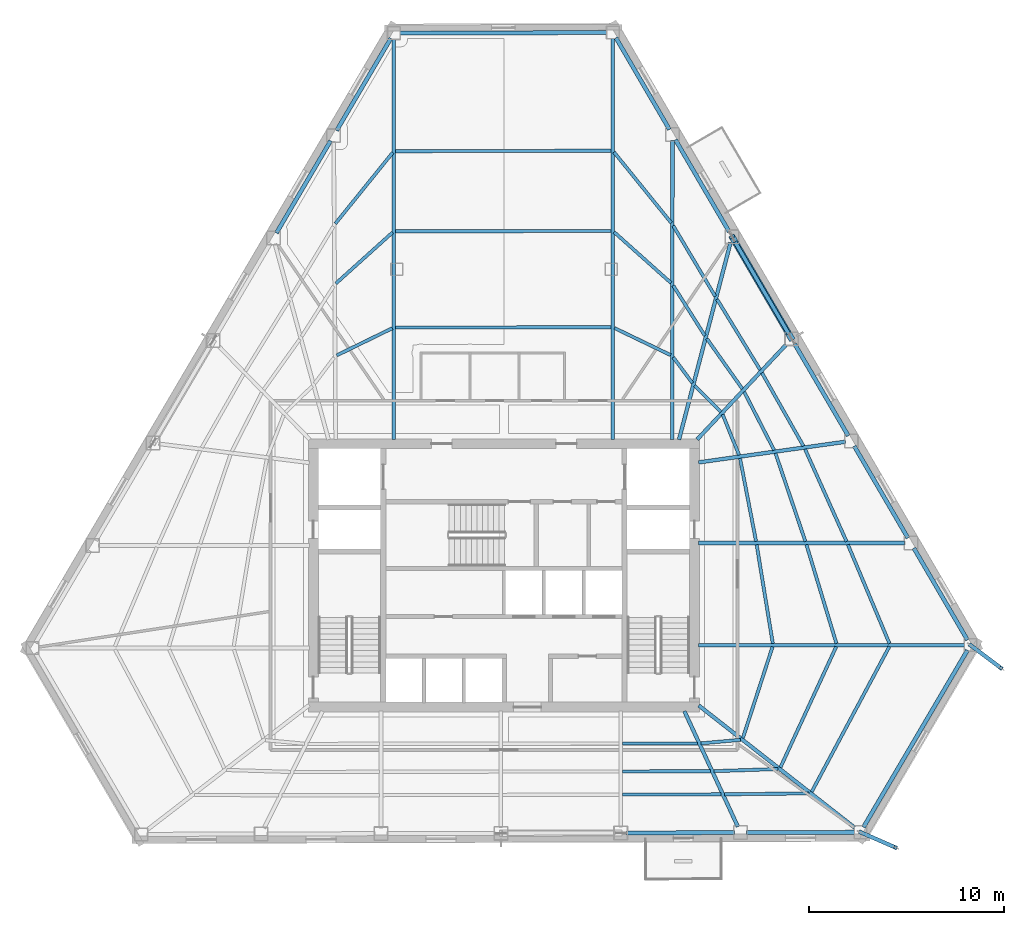
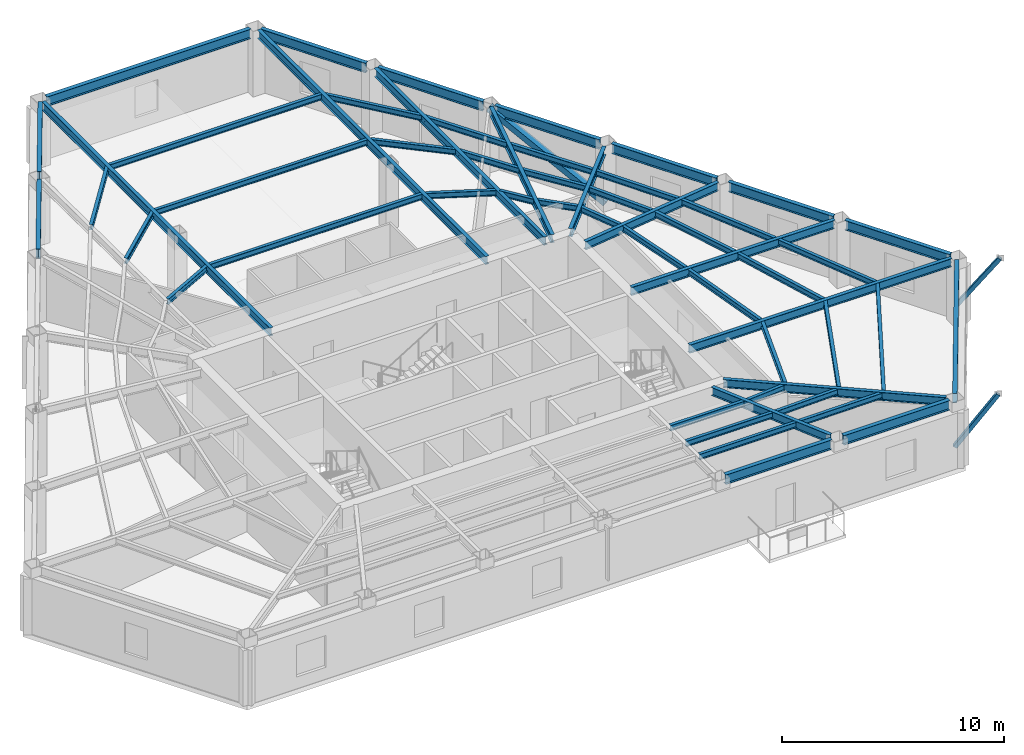
# One storey, part 2 of 10: 55 beams, 3 members.
"""IFC4 building model written with IfcOpenShell, lengths in metres."""

from ifc_helpers import new_model, si_unit, direction, frame, origin, origin_2d, place, context, subcontext, project, spatial, hollow_rectangle, i_section, extrude, material, material_profile, profile_set, type_object, element, save


model = new_model("IFC4")

# Units and contexts
model_context = context("Model", 3, precision=1e-05, world=origin(), true_north=direction((0.0, 1.0)))
body_context = subcontext(model_context, "Body", "Model", "MODEL_VIEW")
ifc_project = project(units=[si_unit("LENGTHUNIT", "METRE"), si_unit("AREAUNIT", "SQUARE_METRE"), si_unit("VOLUMEUNIT", "CUBIC_METRE"), si_unit("PLANEANGLEUNIT", "RADIAN"), si_unit("MASSUNIT", "GRAM", prefix="KILO")], contexts=[model_context])

# Site, building, storey
site_placement = place(None, origin())
site = spatial("IfcSite", under=ifc_project, at=site_placement, CompositionType="ELEMENT")
building_placement = place(site_placement, origin())
building = spatial("IfcBuilding", under=site, at=building_placement, Name="Kavelnor Concourse Tower", CompositionType="ELEMENT")
storey_placement = place(building_placement, frame((0.0, 0.0, 135.550048828125)))
storey = spatial("IfcBuildingStorey", under=building, at=storey_placement, Name="L34", CompositionType="ELEMENT", Elevation=135.550048828125)

# Beams
ifc_material = material(Name="Steel Grade 350", Category="steel")
ifc_material_profile_1 = material_profile(ifc_material, i_section(OverallWidth=0.166015625, OverallDepth=0.306884765625, WebThickness=0.006591796875, FlangeThickness=0.01171875, at=origin_2d()), Name="310UB46")
ifc_profile_set_1 = profile_set([ifc_material_profile_1], Name="Steel Grade 350")
beam_type_1 = type_object("IfcBeamType", Name="BM-JOIST-310", PredefinedType="JOIST", material=ifc_profile_set_1)
beam_1_placement = place(storey_placement, frame((44.077880859375, 7.474609375, 3.446533203125), z_axis=(0.999999606489, 0.000887142418, 0.0), x_axis=(-0.000887142418, 0.999999606489, 0.0)))
element("IfcBeam", 1, at=beam_1_placement, inside=storey, type_object=beam_type_1, Name="L34 Secondary Composite Joist 06-1", PredefinedType="JOIST", context=body_context, shape_type="SweptSolid", body=[
    extrude(i_section(OverallWidth=0.166015625, OverallDepth=0.306884765625, WebThickness=0.006591796875, FlangeThickness=0.01171875, at=origin_2d()), origin(), (0.0, 0.0, 1.0), 3.852783203125),
])
beam_2_placement = place(storey_placement, frame((44.077880859375, 6.04736328125, 3.446533203125), z_axis=(0.999997885182, 0.002056606572, 0.0), x_axis=(-0.002056606572, 0.999997885182, 0.0)))
element("IfcBeam", 2, at=beam_2_placement, inside=storey, type_object=beam_type_1, Name="L34 Secondary Composite Joist 06-2", PredefinedType="JOIST", context=body_context, shape_type="SweptSolid", body=[
    extrude(i_section(OverallWidth=0.166015625, OverallDepth=0.306884765625, WebThickness=0.006591796875, FlangeThickness=0.01171875, at=origin_2d()), origin(), (0.0, 0.0, 1.0), 4.510986328125),
])
beam_3_placement = place(storey_placement, frame((44.077880859375, 4.85791015625, 3.446533203125), z_axis=(0.999995947489, 0.002846929208, 0.0), x_axis=(-0.002846929208, 0.999995947489, 0.0)))
element("IfcBeam", 3, at=beam_3_placement, inside=storey, type_object=beam_type_1, Name="L34 Secondary Composite Joist 06-3", PredefinedType="JOIST", context=body_context, shape_type="SweptSolid", body=[
    extrude(i_section(OverallWidth=0.166015625, OverallDepth=0.306884765625, WebThickness=0.006591796875, FlangeThickness=0.01171875, at=origin_2d()), origin(), (0.0, 0.0, 1.0), 5.0595703125),
])
beam_4_placement = place(storey_placement, frame((48.1083984375, 7.486083984375, 3.446533203125), z_axis=(0.996009382745, 0.089248582532, 0.0), x_axis=(-0.089248582532, 0.996009382745, 0.0)))
element("IfcBeam", 4, at=beam_4_placement, inside=storey, type_object=beam_type_1, Name="L34 Secondary Composite Joist 07-1", PredefinedType="JOIST", context=body_context, shape_type="SweptSolid", body=[
    extrude(i_section(OverallWidth=0.166015625, OverallDepth=0.306884765625, WebThickness=0.006591796875, FlangeThickness=0.01171875, at=origin_2d()), origin(), (0.0, 0.0, 1.0), 2.03515625),
])
beam_5_placement = place(storey_placement, frame((48.766845703125, 6.059814453125, 3.446533203125), z_axis=(0.999426117652, 0.033873815196, 0.0), x_axis=(-0.033873815196, 0.999426117652, 0.0)))
element("IfcBeam", 5, at=beam_5_placement, inside=storey, type_object=beam_type_1, Name="L34 Secondary Composite Joist 07-2", PredefinedType="JOIST", context=body_context, shape_type="SweptSolid", body=[
    extrude(i_section(OverallWidth=0.166015625, OverallDepth=0.306884765625, WebThickness=0.006591796875, FlangeThickness=0.01171875, at=origin_2d()), origin(), (0.0, 0.0, 1.0), 3.28662109375),
])
beam_6_placement = place(storey_placement, frame((49.3154296875, 4.87353515625, 3.446533203125), z_axis=(0.999938395502, 0.011099783846, 0.0), x_axis=(-0.011099783846, 0.999938395502, 0.0)))
element("IfcBeam", 6, at=beam_6_placement, inside=storey, type_object=beam_type_1, Name="L34 Secondary Composite Joist 07-3", PredefinedType="JOIST", context=body_context, shape_type="SweptSolid", body=[
    extrude(i_section(OverallWidth=0.166015625, OverallDepth=0.306884765625, WebThickness=0.006591796875, FlangeThickness=0.01171875, at=origin_2d()), origin(), (0.0, 0.0, 1.0), 4.3330078125),
])
beam_7_placement = place(storey_placement, frame((50.251708984375, 7.76025390625, 3.446533203125), z_axis=(0.309013135152, 0.951057770224, 0.0), x_axis=(-0.951057770224, 0.309013135152, 0.0)))
element("IfcBeam", 7, at=beam_7_placement, inside=storey, type_object=beam_type_1, Name="L34 Secondary Composite Joist 08-1", PredefinedType="JOIST", context=body_context, shape_type="SweptSolid", body=[
    extrude(i_section(OverallWidth=0.166015625, OverallDepth=0.306884765625, WebThickness=0.006591796875, FlangeThickness=0.01171875, at=origin_2d()), origin(), (0.0, 0.0, 1.0), 4.919677734375),
])
beam_8_placement = place(storey_placement, frame((52.177734375, 6.2548828125, 3.446533203125), z_axis=(0.419305733682, 0.907845086841, 0.0), x_axis=(-0.907845086841, 0.419305733682, 0.0)))
element("IfcBeam", 8, at=beam_8_placement, inside=storey, type_object=beam_type_1, Name="L34 Secondary Composite Joist 08-2", PredefinedType="JOIST", context=body_context, shape_type="SweptSolid", body=[
    extrude(i_section(OverallWidth=0.166015625, OverallDepth=0.306884765625, WebThickness=0.006591796875, FlangeThickness=0.01171875, at=origin_2d()), origin(), (0.0, 0.0, 1.0), 6.81640625),
])
beam_9_placement = place(storey_placement, frame((53.779296875, 5.001220703125, 3.446533203125), z_axis=(0.471514178232, 0.881858480555, 0.0), x_axis=(-0.881858480555, 0.471514178232, 0.0)))
element("IfcBeam", 9, at=beam_9_placement, inside=storey, type_object=beam_type_1, Name="L34 Secondary Composite Joist 08-3", PredefinedType="JOIST", context=body_context, shape_type="SweptSolid", body=[
    extrude(i_section(OverallWidth=0.166015625, OverallDepth=0.306884765625, WebThickness=0.006591796875, FlangeThickness=0.01171875, at=origin_2d()), origin(), (0.0, 0.0, 1.0), 8.44140625),
])
beam_10_placement = place(storey_placement, frame((51.78515625, 12.611572265625, 3.446533203125), z_axis=(-0.161347735817, 0.986897617865, 0.0), x_axis=(-0.986897617865, -0.161347735817, 0.0)))
element("IfcBeam", 10, at=beam_10_placement, inside=storey, type_object=beam_type_1, Name="L34 Secondary Composite Joist 09-1", PredefinedType="JOIST", context=body_context, shape_type="SweptSolid", body=[
    extrude(i_section(OverallWidth=0.166015625, OverallDepth=0.306884765625, WebThickness=0.006591796875, FlangeThickness=0.01171875, at=origin_2d()), origin(), (0.0, 0.0, 1.0), 5.12646484375),
])
beam_11_placement = place(storey_placement, frame((55.04736328125, 12.60888671875, 3.446533203125), z_axis=(-0.290456715576, 0.95688813159, 0.0), x_axis=(-0.95688813159, -0.290456715576, 0.0)))
element("IfcBeam", 11, at=beam_11_placement, inside=storey, type_object=beam_type_1, Name="L34 Secondary Composite Joist 09-2", PredefinedType="JOIST", context=body_context, shape_type="SweptSolid", body=[
    extrude(i_section(OverallWidth=0.166015625, OverallDepth=0.306884765625, WebThickness=0.006591796875, FlangeThickness=0.01171875, at=origin_2d()), origin(), (0.0, 0.0, 1.0), 5.29296875),
])
beam_12_placement = place(storey_placement, frame((57.76708984375, 12.605712890625, 3.446533203125), z_axis=(-0.387503350112, 0.921868295176, 0.0), x_axis=(-0.921868295176, -0.387503350112, 0.0)))
element("IfcBeam", 12, at=beam_12_placement, inside=storey, type_object=beam_type_1, Name="L34 Secondary Composite Joist 09-3", PredefinedType="JOIST", context=body_context, shape_type="SweptSolid", body=[
    extrude(i_section(OverallWidth=0.166015625, OverallDepth=0.306884765625, WebThickness=0.006591796875, FlangeThickness=0.01171875, at=origin_2d()), origin(), (0.0, 0.0, 1.0), 5.500732421875),
])
beam_13_placement = place(storey_placement, frame((50.927001953125, 17.84619140625, 3.446533203125), z_axis=(-0.189697812303, 0.981842523019, 0.0), x_axis=(-0.981842523019, -0.189697812303, 0.0)))
element("IfcBeam", 13, at=beam_13_placement, inside=storey, type_object=beam_type_1, Name="L34 Secondary Composite Joist 10-1", PredefinedType="JOIST", context=body_context, shape_type="SweptSolid", body=[
    extrude(i_section(OverallWidth=0.166015625, OverallDepth=0.306884765625, WebThickness=0.006591796875, FlangeThickness=0.01171875, at=origin_2d()), origin(), (0.0, 0.0, 1.0), 4.333251953125),
])
beam_14_placement = place(storey_placement, frame((53.45556640625, 17.843017578125, 3.446533203125), z_axis=(-0.321292245077, 0.946980091266, 0.0), x_axis=(-0.946980091266, -0.321292245077, 0.0)))
element("IfcBeam", 14, at=beam_14_placement, inside=storey, type_object=beam_type_1, Name="L34 Secondary Composite Joist 10-2", PredefinedType="JOIST", context=body_context, shape_type="SweptSolid", body=[
    extrude(i_section(OverallWidth=0.166015625, OverallDepth=0.306884765625, WebThickness=0.006591796875, FlangeThickness=0.01171875, at=origin_2d()), origin(), (0.0, 0.0, 1.0), 4.768310546875),
])
beam_15_placement = place(storey_placement, frame((55.564697265625, 17.840087890625, 3.446533203125), z_axis=(-0.409989072402, 0.912090434393, 0.0), x_axis=(-0.912090434393, -0.409989072402, 0.0)))
element("IfcBeam", 15, at=beam_15_placement, inside=storey, type_object=beam_type_1, Name="L34 Secondary Composite Joist 10-3", PredefinedType="JOIST", context=body_context, shape_type="SweptSolid", body=[
    extrude(i_section(OverallWidth=0.166015625, OverallDepth=0.306884765625, WebThickness=0.006591796875, FlangeThickness=0.01171875, at=origin_2d()), origin(), (0.0, 0.0, 1.0), 5.189697265625),
])
beam_16_placement = place(storey_placement, frame((50.054931640625, 22.270751953125, 3.446533203125), z_axis=(-0.374849028171, 0.927085867695, 0.0), x_axis=(-0.927085867695, -0.374849028171, 0.0)))
element("IfcBeam", 16, at=beam_16_placement, inside=storey, type_object=beam_type_1, Name="L34 Secondary Composite Joist 11-1", PredefinedType="JOIST", context=body_context, shape_type="SweptSolid", body=[
    extrude(i_section(OverallWidth=0.166015625, OverallDepth=0.306884765625, WebThickness=0.006591796875, FlangeThickness=0.01171875, at=origin_2d()), origin(), (0.0, 0.0, 1.0), 2.23779296875),
])
beam_17_placement = place(storey_placement, frame((51.854248046875, 22.521728515625, 3.446533203125), z_axis=(-0.457377539647, 0.889272616371, 0.0), x_axis=(-0.889272616371, -0.457377539647, 0.0)))
element("IfcBeam", 17, at=beam_17_placement, inside=storey, type_object=beam_type_1, Name="L34 Secondary Composite Joist 11-2", PredefinedType="JOIST", context=body_context, shape_type="SweptSolid", body=[
    extrude(i_section(OverallWidth=0.166015625, OverallDepth=0.306884765625, WebThickness=0.006591796875, FlangeThickness=0.01171875, at=origin_2d()), origin(), (0.0, 0.0, 1.0), 3.36279296875),
])
beam_18_placement = place(storey_placement, frame((53.356689453125, 22.73193359375, 3.446533203125), z_axis=(-0.493166836904, 0.869934750989, 0.0), x_axis=(-0.869934750989, -0.493166836904, 0.0)))
element("IfcBeam", 18, at=beam_18_placement, inside=storey, type_object=beam_type_1, Name="L34 Secondary Composite Joist 11-3", PredefinedType="JOIST", context=body_context, shape_type="SweptSolid", body=[
    extrude(i_section(OverallWidth=0.166015625, OverallDepth=0.306884765625, WebThickness=0.006591796875, FlangeThickness=0.01171875, at=origin_2d()), origin(), (0.0, 0.0, 1.0), 4.312255859375),
])
beam_19_placement = place(storey_placement, frame((49.11962890625, 24.49072265625, 3.446533203125), z_axis=(-0.708330982617, 0.705880456639, 0.0), x_axis=(-0.705880456639, -0.708330982617, 0.0)))
element("IfcBeam", 19, at=beam_19_placement, inside=storey, type_object=beam_type_1, Name="L34 Secondary Composite Joist 12-1", PredefinedType="JOIST", context=body_context, shape_type="SweptSolid", body=[
    extrude(i_section(OverallWidth=0.166015625, OverallDepth=0.306884765625, WebThickness=0.006591796875, FlangeThickness=0.01171875, at=origin_2d()), origin(), (0.0, 0.0, 1.0), 1.892822265625),
])
beam_20_placement = place(storey_placement, frame((50.22412109375, 25.6640625, 3.446533203125), z_axis=(-0.577442087947, 0.816431647517, 0.0), x_axis=(-0.816431647517, -0.577442087947, 0.0)))
element("IfcBeam", 20, at=beam_20_placement, inside=storey, type_object=beam_type_1, Name="L34 Secondary Composite Joist 12-2", PredefinedType="JOIST", context=body_context, shape_type="SweptSolid", body=[
    extrude(i_section(OverallWidth=0.166015625, OverallDepth=0.306884765625, WebThickness=0.006591796875, FlangeThickness=0.01171875, at=origin_2d()), origin(), (0.0, 0.0, 1.0), 3.156494140625),
])
beam_21_placement = place(storey_placement, frame((51.1396484375, 26.63671875, 3.446533203125), z_axis=(-0.521733784436, 0.853108350785, 0.0), x_axis=(-0.853108350785, -0.521733784436, 0.0)))
element("IfcBeam", 21, at=beam_21_placement, inside=storey, type_object=beam_type_1, Name="L34 Secondary Composite Joist 12-3", PredefinedType="JOIST", context=body_context, shape_type="SweptSolid", body=[
    extrude(i_section(OverallWidth=0.166015625, OverallDepth=0.306884765625, WebThickness=0.006591796875, FlangeThickness=0.01171875, at=origin_2d()), origin(), (0.0, 0.0, 1.0), 4.2451171875),
])
beam_22_placement = place(storey_placement, frame((47.662841796875, 25.9609375, 3.446533203125), z_axis=(-0.596414026464, 0.802676964312, 0.0), x_axis=(-0.802676964312, -0.596414026464, 0.0)))
element("IfcBeam", 22, at=beam_22_placement, inside=storey, type_object=beam_type_1, Name="L34 Secondary Composite Joist 13-1", PredefinedType="JOIST", context=body_context, shape_type="SweptSolid", body=[
    extrude(i_section(OverallWidth=0.166015625, OverallDepth=0.306884765625, WebThickness=0.006591796875, FlangeThickness=0.01171875, at=origin_2d()), origin(), (0.0, 0.0, 1.0), 1.647705078125),
])
beam_23_placement = place(storey_placement, frame((48.302490234375, 28.38916015625, 3.446533203125), z_axis=(-0.533854046208, 0.845576641912, 0.0), x_axis=(-0.845576641912, -0.533854046208, 0.0)))
element("IfcBeam", 23, at=beam_23_placement, inside=storey, type_object=beam_type_1, Name="L34 Secondary Composite Joist 13-2", PredefinedType="JOIST", context=body_context, shape_type="SweptSolid", body=[
    extrude(i_section(OverallWidth=0.166015625, OverallDepth=0.306884765625, WebThickness=0.006591796875, FlangeThickness=0.01171875, at=origin_2d()), origin(), (0.0, 0.0, 1.0), 3.041259765625),
])
beam_24_placement = place(storey_placement, frame((48.832763671875, 30.41064453125, 3.446533203125), z_axis=(-0.511361471868, 0.859365722547, 0.0), x_axis=(-0.859365722547, -0.511361471868, 0.0)))
element("IfcBeam", 24, at=beam_24_placement, inside=storey, type_object=beam_type_1, Name="L34 Secondary Composite Joist 13-3", PredefinedType="JOIST", context=body_context, shape_type="SweptSolid", body=[
    extrude(i_section(OverallWidth=0.166015625, OverallDepth=0.306884765625, WebThickness=0.006591796875, FlangeThickness=0.01171875, at=origin_2d()), origin(), (0.0, 0.0, 1.0), 4.20849609375),
])
beam_25_placement = place(storey_placement, frame((46.546875, 27.393310546875, 3.446533203125), z_axis=(-0.900864625314, 0.434100134597, 0.0), x_axis=(-0.434100134597, -0.900864625314, 0.0)))
element("IfcBeam", 25, at=beam_25_placement, inside=storey, type_object=beam_type_1, Name="L34 Secondary Composite Joist 14-1", PredefinedType="JOIST", context=body_context, shape_type="SweptSolid", body=[
    extrude(i_section(OverallWidth=0.166015625, OverallDepth=0.306884765625, WebThickness=0.006591796875, FlangeThickness=0.01171875, at=origin_2d()), origin(), (0.0, 0.0, 1.0), 3.198974609375),
])
beam_26_placement = place(storey_placement, frame((46.565185546875, 31.095458984375, 3.446533203125), z_axis=(-0.745697050011, 0.666285156374, 0.0), x_axis=(-0.666285156374, -0.745697050011, 0.0)))
element("IfcBeam", 26, at=beam_26_placement, inside=storey, type_object=beam_type_1, Name="L34 Secondary Composite Joist 14-2", PredefinedType="JOIST", context=body_context, shape_type="SweptSolid", body=[
    extrude(i_section(OverallWidth=0.166015625, OverallDepth=0.306884765625, WebThickness=0.006591796875, FlangeThickness=0.01171875, at=origin_2d()), origin(), (0.0, 0.0, 1.0), 3.907470703125),
])
beam_27_placement = place(storey_placement, frame((46.5791015625, 34.173095703125, 3.446533203125), z_axis=(-0.629089955692, 0.777332507777, 0.0), x_axis=(-0.777332507777, -0.629089955692, 0.0)))
element("IfcBeam", 27, at=beam_27_placement, inside=storey, type_object=beam_type_1, Name="L34 Secondary Composite Joist 14-3", PredefinedType="JOIST", context=body_context, shape_type="SweptSolid", body=[
    extrude(i_section(OverallWidth=0.166015625, OverallDepth=0.306884765625, WebThickness=0.006591796875, FlangeThickness=0.01171875, at=origin_2d()), origin(), (0.0, 0.0, 1.0), 4.670654296875),
])
for number, where, z_axis, x_axis, name in (
    (28, (43.495849609375, 28.820556640625, 3.446533203125), (-0.999999647713, -0.000839389159, 0.0), (0.000839389159, -0.999999647713, 0.0), "L34 Secondary Composite Joist 15-1"),
    (29, (43.495849609375, 33.758056640625, 3.446533203125), (-0.999998804567, -0.001546241884, 0.0), (0.001546241884, -0.999998804567, 0.0), "L34 Secondary Composite Joist 15-2"),
    (30, (43.495849609375, 37.872802734375, 3.446533203125), (-0.999997704529, -0.00214264711, 0.0), (0.00214264711, -0.999997704529, 0.0), "L34 Secondary Composite Joist 15-3"),
):
    element("IfcBeam", number, at=place(storey_placement, frame(where, z_axis=z_axis, x_axis=x_axis)), inside=storey, type_object=beam_type_1, Name=name, PredefinedType="JOIST", context=body_context, shape_type="SweptSolid", body=[
        extrude(i_section(OverallWidth=0.166015625, OverallDepth=0.306884765625, WebThickness=0.006591796875, FlangeThickness=0.01171875, at=origin_2d()), origin(), (0.0, 0.0, 1.0), 11.052490234375),
    ])
beam_28_placement = place(storey_placement, frame((32.2744140625, 28.772216796875, 3.446533203125), z_axis=(-0.898556936197, -0.438856961221, 0.0), x_axis=(0.438856961221, -0.898556936197, 0.0)))
element("IfcBeam", 31, at=beam_28_placement, inside=storey, type_object=beam_type_1, Name="L34 Secondary Composite Joist 16-1", PredefinedType="JOIST", context=body_context, shape_type="SweptSolid", body=[
    extrude(i_section(OverallWidth=0.166015625, OverallDepth=0.306884765625, WebThickness=0.006591796875, FlangeThickness=0.01171875, at=origin_2d()), origin(), (0.0, 0.0, 1.0), 3.17431640625),
])
beam_29_placement = place(storey_placement, frame((32.2880859375, 33.681396484375, 3.446533203125), z_axis=(-0.743368714094, -0.668881869171, 0.0), x_axis=(0.668881869171, -0.743368714094, 0.0)))
element("IfcBeam", 32, at=beam_29_placement, inside=storey, type_object=beam_type_1, Name="L34 Secondary Composite Joist 16-2", PredefinedType="JOIST", context=body_context, shape_type="SweptSolid", body=[
    extrude(i_section(OverallWidth=0.166015625, OverallDepth=0.306884765625, WebThickness=0.006591796875, FlangeThickness=0.01171875, at=origin_2d()), origin(), (0.0, 0.0, 1.0), 3.906982421875),
])
beam_30_placement = place(storey_placement, frame((32.298583984375, 37.77978515625, 3.446533203125), z_axis=(-0.628588085721, -0.777738399778, 0.0), x_axis=(0.777738399778, -0.628588085721, 0.0)))
element("IfcBeam", 33, at=beam_30_placement, inside=storey, type_object=beam_type_1, Name="L34 Secondary Composite Joist 16-3", PredefinedType="JOIST", context=body_context, shape_type="SweptSolid", body=[
    extrude(i_section(OverallWidth=0.166015625, OverallDepth=0.306884765625, WebThickness=0.006591796875, FlangeThickness=0.01171875, at=origin_2d()), origin(), (0.0, 0.0, 1.0), 4.686279296875),
])
ifc_material_profile_2 = material_profile(ifc_material, i_section(OverallWidth=0.18994140625, OverallDepth=0.4541015625, WebThickness=0.008544921875, FlangeThickness=0.0126953125, at=origin_2d()), Name="460UB67")
ifc_profile_set_2 = profile_set([ifc_material_profile_2], Name="Steel Grade 350")
beam_type_2 = type_object("IfcBeamType", Name="BM-PRIMARY-460", PredefinedType="BEAM", material=ifc_profile_set_2)
beam_31_placement = place(storey_placement, frame((32.3544921875, 23.06005859375, 3.373046875), z_axis=(0.0, 1.0, 0.0), x_axis=(-1.0, 0.0, 0.0)))
element("IfcBeam", 34, at=beam_31_placement, inside=storey, type_object=beam_type_2, Name="L34 Primary Floor Girder F0-B0", PredefinedType="BEAM", context=body_context, shape_type="SweptSolid", body=[
    extrude(i_section(OverallWidth=0.18994140625, OverallDepth=0.4541015625, WebThickness=0.008544921875, FlangeThickness=0.0126953125, at=origin_2d()), origin(), (0.0, 0.0, 1.0), 20.5400390625),
])
beam_32_placement = place(storey_placement, frame((47.251708984375, 9.13623046875, 3.373046875), z_axis=(0.420258199615, -0.907404565592, 0.0), x_axis=(0.907404565592, 0.420258199615, 0.0)))
element("IfcBeam", 35, at=beam_32_placement, inside=storey, type_object=beam_type_2, Name="L34 Primary Floor Girder F1-B5", PredefinedType="BEAM", context=body_context, shape_type="SweptSolid", body=[
    extrude(i_section(OverallWidth=0.18994140625, OverallDepth=0.4541015625, WebThickness=0.008544921875, FlangeThickness=0.0126953125, at=origin_2d()), origin(), (0.0, 0.0, 1.0), 6.526123046875),
])
beam_33_placement = place(storey_placement, frame((47.988525390625, 9.427490234375, 3.373046875), z_axis=(0.787124444594, -0.616794219105, 0.0), x_axis=(0.616794219105, 0.787124444594, 0.0)))
element("IfcBeam", 36, at=beam_33_placement, inside=storey, type_object=beam_type_2, Name="L34 Primary Floor Girder F1-B6", PredefinedType="BEAM", context=body_context, shape_type="SweptSolid", body=[
    extrude(i_section(OverallWidth=0.18994140625, OverallDepth=0.4541015625, WebThickness=0.008544921875, FlangeThickness=0.0126953125, at=origin_2d()), origin(), (0.0, 0.0, 1.0), 10.143798828125),
])
beam_34_placement = place(storey_placement, frame((47.97998046875, 12.523681640625, 3.373046875), z_axis=(1.0, 0.0, 0.0), x_axis=(0.0, 1.0, 0.0)))
element("IfcBeam", 37, at=beam_34_placement, inside=storey, type_object=beam_type_2, Name="L34 Primary Floor Girder F2-B0", PredefinedType="BEAM", context=body_context, shape_type="SweptSolid", body=[
    extrude(i_section(OverallWidth=0.18994140625, OverallDepth=0.4541015625, WebThickness=0.008544921875, FlangeThickness=0.0126953125, at=origin_2d()), origin(), (0.0, 0.0, 1.0), 13.640869140625),
])
beam_35_placement = place(storey_placement, frame((47.97998046875, 17.7587890625, 3.373046875), z_axis=(1.0, 0.0, 0.0), x_axis=(0.0, 1.0, 0.0)))
element("IfcBeam", 38, at=beam_35_placement, inside=storey, type_object=beam_type_2, Name="L34 Primary Floor Girder F2-B1", PredefinedType="BEAM", context=body_context, shape_type="SweptSolid", body=[
    extrude(i_section(OverallWidth=0.18994140625, OverallDepth=0.4541015625, WebThickness=0.008544921875, FlangeThickness=0.0126953125, at=origin_2d()), origin(), (0.0, 0.0, 1.0), 10.5849609375),
])
beam_36_placement = place(storey_placement, frame((47.98046875, 21.8916015625, 3.373046875), z_axis=(0.990235186023, 0.13940687344, 0.0), x_axis=(-0.13940687344, 0.990235186023, 0.0)))
element("IfcBeam", 39, at=beam_36_placement, inside=storey, type_object=beam_type_2, Name="L34 Primary Floor Girder F2-B2", PredefinedType="BEAM", context=body_context, shape_type="SweptSolid", body=[
    extrude(i_section(OverallWidth=0.18994140625, OverallDepth=0.4541015625, WebThickness=0.008544921875, FlangeThickness=0.0126953125, at=origin_2d()), origin(), (0.0, 0.0, 1.0), 7.602294921875),
])
beam_37_placement = place(storey_placement, frame((47.90771484375, 23.07080078125, 3.373046875), z_axis=(0.68466127853, 0.728861395385, 0.0), x_axis=(-0.728861395385, 0.68466127853, 0.0)))
element("IfcBeam", 40, at=beam_37_placement, inside=storey, type_object=beam_type_2, Name="L34 Primary Floor Girder F2-B3", PredefinedType="BEAM", context=body_context, shape_type="SweptSolid", body=[
    extrude(i_section(OverallWidth=0.18994140625, OverallDepth=0.4541015625, WebThickness=0.008544921875, FlangeThickness=0.0126953125, at=origin_2d()), origin(), (0.0, 0.0, 1.0), 6.650390625),
])
beam_38_placement = place(storey_placement, frame((46.97607421875, 23.061279296875, 3.373046875), z_axis=(0.253051987323, 0.967452681898, 0.0), x_axis=(-0.967452681898, 0.253051987323, 0.0)))
element("IfcBeam", 41, at=beam_38_placement, inside=storey, type_object=beam_type_2, Name="L34 Primary Floor Girder F2-B4", PredefinedType="BEAM", context=body_context, shape_type="SweptSolid", body=[
    extrude(i_section(OverallWidth=0.18994140625, OverallDepth=0.4541015625, WebThickness=0.008544921875, FlangeThickness=0.0126953125, at=origin_2d()), origin(), (0.0, 0.0, 1.0), 10.44091796875),
])
beam_39_placement = place(storey_placement, frame((46.62158203125, 23.06005859375, 3.373046875), z_axis=(0.001225586805, 0.999999248968, 0.0), x_axis=(-0.999999248968, 0.001225586805, 0.0)))
element("IfcBeam", 42, at=beam_39_placement, inside=storey, type_object=beam_type_2, Name="L34 Primary Floor Girder F2-B5", PredefinedType="BEAM", context=body_context, shape_type="SweptSolid", body=[
    extrude(i_section(OverallWidth=0.18994140625, OverallDepth=0.4541015625, WebThickness=0.008544921875, FlangeThickness=0.0126953125, at=origin_2d()), origin(), (0.0, 0.0, 1.0), 15.338623046875),
])
beam_40_placement = place(storey_placement, frame((43.5849609375, 23.06005859375, 3.373046875), z_axis=(0.0, 1.0, 0.0), x_axis=(-1.0, 0.0, 0.0)))
element("IfcBeam", 43, at=beam_40_placement, inside=storey, type_object=beam_type_2, Name="L34 Primary Floor Girder F2-B6", PredefinedType="BEAM", context=body_context, shape_type="SweptSolid", body=[
    extrude(i_section(OverallWidth=0.18994140625, OverallDepth=0.4541015625, WebThickness=0.008544921875, FlangeThickness=0.0126953125, at=origin_2d()), origin(), (0.0, 0.0, 1.0), 20.573486328125),
])
ifc_material_profile_3 = material_profile(ifc_material, i_section(OverallWidth=0.208984375, OverallDepth=0.532958984375, WebThickness=0.01025390625, FlangeThickness=0.015625, at=origin_2d()), Name="530UB92")
ifc_profile_set_3 = profile_set([ifc_material_profile_3], Name="Steel Grade 350")
beam_type_3 = type_object("IfcBeamType", Name="BM-SPANDREL-Z2", PredefinedType="SPANDREL", material=ifc_profile_set_3)
for number, where, z_axis, x_axis, name in (
    (44, (32.19970703125, 43.63720703125, 3.33349609375), (-0.506677693312, -0.862135554945, 0.0), (0.862135554945, -0.506677693312, 0.0), "L34 Perimeter Tube Spandrel Beam F0-B0"),
    (45, (29.111572265625, 38.383056640625, 3.33349609375), (-0.50671077972, -0.862116109184, 0.0), (0.862116109184, -0.50671077972, 0.0), "L34 Perimeter Tube Spandrel Beam F0-B1"),
):
    element("IfcBeam", number, at=place(storey_placement, frame(where, z_axis=z_axis, x_axis=x_axis)), inside=storey, type_object=beam_type_3, Name=name, PredefinedType="SPANDREL", context=body_context, shape_type="SweptSolid", body=[
        extrude(i_section(OverallWidth=0.208984375, OverallDepth=0.532958984375, WebThickness=0.01025390625, FlangeThickness=0.015625, at=origin_2d()), origin(), (0.0, 0.0, 1.0), 5.484375),
    ])
beam_41_placement = place(storey_placement, frame((43.27978515625, 43.9326171875, 3.33349609375), z_axis=(-0.999995534652, -0.002988423703, 0.0), x_axis=(0.002988423703, -0.999995534652, 0.0)))
element("IfcBeam", 46, at=beam_41_placement, inside=storey, type_object=beam_type_3, Name="L34 Chamfer Facet Spandrel Beam C0", PredefinedType="SPANDREL", context=body_context, shape_type="SweptSolid", body=[
    extrude(i_section(OverallWidth=0.208984375, OverallDepth=0.532958984375, WebThickness=0.01025390625, FlangeThickness=0.015625, at=origin_2d()), origin(), (0.0, 0.0, 1.0), 10.620361328125),
])
for number, where, z_axis, x_axis, name in (
    (47, (44.2939453125, 2.893310546875, 3.33349609375), (0.999995503734, 0.002998751731, 0.0), (-0.002998751731, 0.999995503734, 0.0), "L34 Perimeter Tube Spandrel Beam F1-B4"),
    (48, (50.440185546875, 2.91162109375, 3.33349609375), (0.999995635004, 0.002954652829, 0.0), (-0.002954652829, 0.999995635004, 0.0), "L34 Perimeter Tube Spandrel Beam F1-B5"),
):
    element("IfcBeam", number, at=place(storey_placement, frame(where, z_axis=z_axis, x_axis=x_axis)), inside=storey, type_object=beam_type_3, Name=name, PredefinedType="SPANDREL", context=body_context, shape_type="SweptSolid", body=[
        extrude(i_section(OverallWidth=0.208984375, OverallDepth=0.532958984375, WebThickness=0.01025390625, FlangeThickness=0.015625, at=origin_2d()), origin(), (0.0, 0.0, 1.0), 5.5361328125),
    ])
for number, where, z_axis, x_axis, name in (
    (49, (61.76708984375, 12.787109375, 3.33349609375), (-0.504118817846, 0.863634307733, 0.0), (-0.863634307733, -0.504118817846, 0.0), "L34 Perimeter Tube Spandrel Beam F2-B0"),
    (50, (58.711181640625, 18.022216796875, 3.33349609375), (-0.504171716798, 0.863603427495, 0.0), (-0.863603427495, -0.504171716798, 0.0), "L34 Perimeter Tube Spandrel Beam F2-B1"),
    (51, (55.655029296875, 23.257080078125, 3.33349609375), (-0.504118817846, 0.863634307733, 0.0), (-0.863634307733, -0.504118817846, 0.0), "L34 Perimeter Tube Spandrel Beam F2-B2"),
    (52, (52.59912109375, 28.4921875, 3.33349609375), (-0.504171716798, 0.863603427495, 0.0), (-0.863603427495, -0.504171716798, 0.0), "L34 Perimeter Tube Spandrel Beam F2-B3"),
):
    element("IfcBeam", number, at=place(storey_placement, frame(where, z_axis=z_axis, x_axis=x_axis)), inside=storey, type_object=beam_type_3, Name=name, PredefinedType="SPANDREL", context=body_context, shape_type="SweptSolid", body=[
        extrude(i_section(OverallWidth=0.208984375, OverallDepth=0.532958984375, WebThickness=0.01025390625, FlangeThickness=0.015625, at=origin_2d()), origin(), (0.0, 0.0, 1.0), 5.45166015625),
    ])
beam_42_placement = place(storey_placement, frame((49.543212890625, 33.72705078125, 3.33349609375), z_axis=(-0.504152218526, 0.863614810292, 0.0), x_axis=(-0.863614810292, -0.504152218526, 0.0)))
element("IfcBeam", 53, at=beam_42_placement, inside=storey, type_object=beam_type_3, Name="L34 Perimeter Tube Spandrel Beam F2-B4", PredefinedType="SPANDREL", context=body_context, shape_type="SweptSolid", body=[
    extrude(i_section(OverallWidth=0.208984375, OverallDepth=0.532958984375, WebThickness=0.01025390625, FlangeThickness=0.015625, at=origin_2d()), origin(), (0.0, 0.0, 1.0), 5.451904296875),
])
beam_43_placement = place(storey_placement, frame((46.487060546875, 38.9619140625, 3.33349609375), z_axis=(-0.504118817846, 0.863634307733, 0.0), x_axis=(-0.863634307733, -0.504118817846, 0.0)))
element("IfcBeam", 54, at=beam_43_placement, inside=storey, type_object=beam_type_3, Name="L34 Perimeter Tube Spandrel Beam F2-B5", PredefinedType="SPANDREL", context=body_context, shape_type="SweptSolid", body=[
    extrude(i_section(OverallWidth=0.208984375, OverallDepth=0.532958984375, WebThickness=0.01025390625, FlangeThickness=0.015625, at=origin_2d()), origin(), (0.0, 0.0, 1.0), 5.45166015625),
])
beam_44_placement = place(storey_placement, frame((56.435791015625, 3.19189453125, 3.33349609375), z_axis=(0.506723940803, 0.862108373592, 0.0), x_axis=(-0.862108373592, 0.506723940803, 0.0)))
element("IfcBeam", 55, at=beam_44_placement, inside=storey, type_object=beam_type_3, Name="L34 Chamfer Facet Spandrel Beam C2", PredefinedType="SPANDREL", context=body_context, shape_type="SweptSolid", body=[
    extrude(i_section(OverallWidth=0.208984375, OverallDepth=0.532958984375, WebThickness=0.01025390625, FlangeThickness=0.015625, at=origin_2d()), origin(), (0.0, 0.0, 1.0), 10.519775390625),
])

# Members
ifc_material_profile_4 = material_profile(ifc_material, hollow_rectangle(XDim=0.199951171875, YDim=0.199951171875, WallThickness=0.011962890625, at=origin_2d()), Name="SHS 200x200x12")
ifc_profile_set_4 = profile_set([ifc_material_profile_4], Name="Steel Grade 350")
member_type_1 = type_object("IfcMemberType", Name="MBR-TERR-STRUT-200", PredefinedType="STRUT", material=ifc_profile_set_4)
member_1_placement = place(storey_placement, frame((56.281494140625, 2.928955078125, 0.89990234375), z_axis=(0.534389699012, -0.233219876784, 0.812426081969), x_axis=(0.399990047029, 0.91651948276, 0.0)))
element("IfcMember", 56, at=member_1_placement, inside=storey, type_object=member_type_1, Name="L34 Spiral Terrace Raking Knee Strut C2-A", PredefinedType="STRUT", context=body_context, shape_type="SweptSolid", body=[
    extrude(hollow_rectangle(XDim=0.199951171875, YDim=0.199951171875, WallThickness=0.011962890625, at=origin_2d()), origin(), (0.0, 0.0, 1.0), 3.36669921875),
])
member_2_placement = place(storey_placement, frame((61.9208984375, 12.523681640625, 0.89990234375), z_axis=(0.465144420733, -0.350654029856, 0.812823731941), x_axis=(0.601971116106, 0.79851786165, 0.0)))
element("IfcMember", 57, at=member_2_placement, inside=storey, type_object=member_type_1, Name="L34 Spiral Terrace Raking Knee Strut C2-B", PredefinedType="STRUT", context=body_context, shape_type="SweptSolid", body=[
    extrude(hollow_rectangle(XDim=0.199951171875, YDim=0.199951171875, WallThickness=0.011962890625, at=origin_2d()), origin(), (0.0, 0.0, 1.0), 3.364990234375),
])
ifc_material_profile_5 = material_profile(ifc_material, hollow_rectangle(XDim=0.320068359375, YDim=0.320068359375, WallThickness=0.01806640625, at=origin_2d()), Name="SHS 320x320x18")
ifc_profile_set_5 = profile_set([ifc_material_profile_5], Name="Steel Grade 350")
member_type_2 = type_object("IfcMemberType", Name="MBR-TUBE-DIAG-Z2", PredefinedType="BRACE", material=ifc_profile_set_5)
member_3_placement = place(storey_placement, frame((52.7529296875, 28.228759765625, 0.219970703125), z_axis=(-0.448446863649, 0.768203055874, 0.456902041393), x_axis=(-0.863618166587, -0.504146469134, 0.0)))
element("IfcMember", 58, at=member_3_placement, inside=storey, type_object=member_type_2, Name="L34 Framed-Tube Bracing Diagonal F2-B3", PredefinedType="BRACE", context=body_context, shape_type="SweptSolid", body=[
    extrude(hollow_rectangle(XDim=0.320068359375, YDim=0.320068359375, WallThickness=0.01806640625, at=origin_2d()), origin(), (0.0, 0.0, 1.0), 6.814453125),
])

save(model, "model.ifc")
